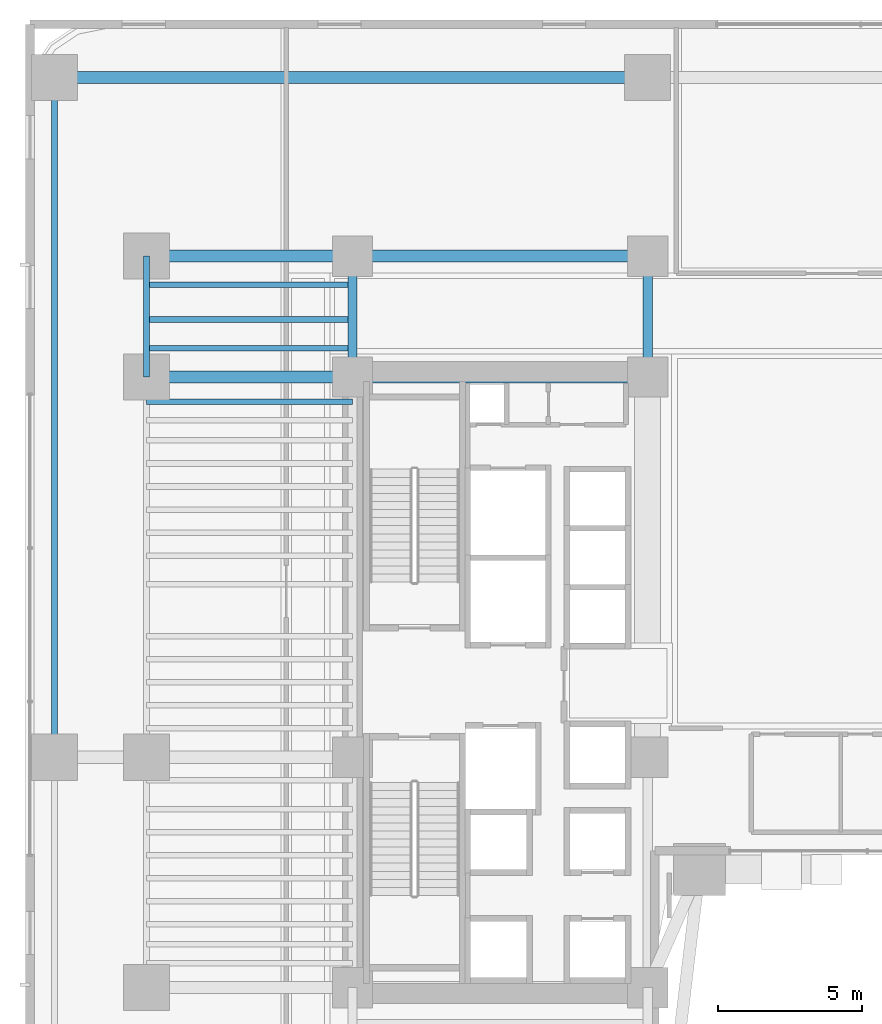
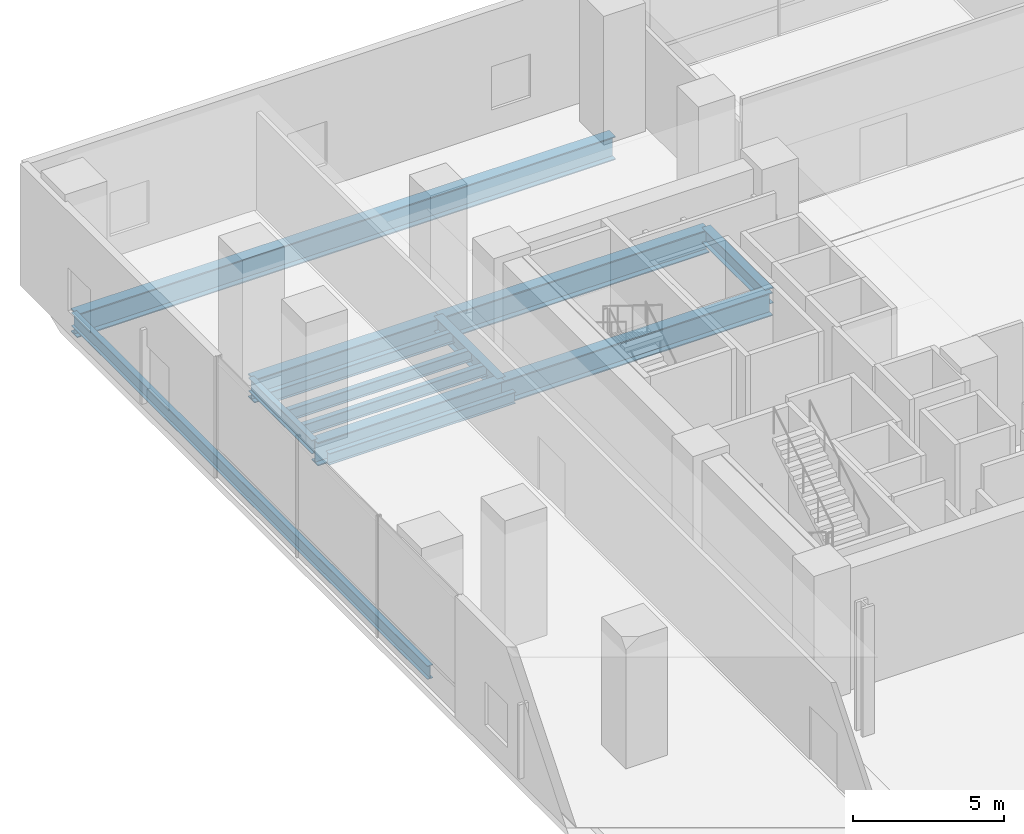
# One storey, part 13 of 39: 13 beams.
"""IFC4 building model written with IfcOpenShell, lengths in metres."""

from ifc_helpers import new_model, si_unit, direction, frame, origin, origin_2d, place, context, subcontext, project, spatial, i_section, extrude, source, transform, mapped, material, material_profile, profile_set, type_object, element, save


model = new_model("IFC4")

# Units and contexts
model_context = context("Model", 3, precision=1e-05, world=origin(), true_north=direction((0.0, 1.0)))
body_context = subcontext(model_context, "Body", "Model", "MODEL_VIEW")
ifc_project = project(units=[si_unit("LENGTHUNIT", "METRE"), si_unit("AREAUNIT", "SQUARE_METRE"), si_unit("VOLUMEUNIT", "CUBIC_METRE"), si_unit("PLANEANGLEUNIT", "RADIAN"), si_unit("MASSUNIT", "GRAM", prefix="KILO")], contexts=[model_context])

# Site, building, storey
site_placement = place(None, origin())
site = spatial("IfcSite", under=ifc_project, at=site_placement, CompositionType="ELEMENT")
building_placement = place(site_placement, origin())
building = spatial("IfcBuilding", under=site, at=building_placement, Name="Valdorenza Pilgrim Sanctuary Tower", CompositionType="ELEMENT")
storey_placement = place(building_placement, frame((0.0, 0.0, 10.39990234375)))
storey = spatial("IfcBuildingStorey", under=building, at=storey_placement, Name="L02", CompositionType="ELEMENT", Elevation=10.39990234375)

# Beams
ifc_material = material(Name="Steel ASTM A992 Grade 50", Category="steel")
ifc_material_profile_1 = material_profile(ifc_material, i_section(OverallWidth=0.423095703125, OverallDepth=0.947998046875, WebThickness=0.02392578125, FlangeThickness=0.042724609375, at=origin_2d()), Name="W36X302")
ifc_profile_set_1 = profile_set([ifc_material_profile_1], Name="Steel ASTM A992 Grade 50")
beam_type_1 = type_object("IfcBeamType", Name="STR-BM-GRD-W36A", PredefinedType="BEAM", material=ifc_profile_set_1)
shared_shape_1 = source(origin(), body_context, "Body", "SweptSolid", [
    extrude(i_section(OverallWidth=0.423095703125, OverallDepth=0.947998046875, WebThickness=0.02392578125, FlangeThickness=0.042724609375, at=origin_2d()), origin(), (0.0, 0.0, 1.0), 7.150146484375),
])
for number, where, z_axis, x_axis, name in (
    (1, (-29.800048828125, 10.60009765625, -0.75390625), (1.0, 0.0, 0.0), (0.0, 1.0, 0.0), "L02 Floor Girder WA-XW-N1"),
    (2, (-29.800048828125, 14.800048828125, -0.75390625), (1.0, 0.0, 0.0), (0.0, 1.0, 0.0), "L02 Floor Girder WA-XW-N2"),
):
    element("IfcBeam", number, at=place(storey_placement, frame(where, z_axis=z_axis, x_axis=x_axis)), inside=storey, type_object=beam_type_1, Name=name, PredefinedType="BEAM", context=body_context, shape_type="MappedRepresentation", body=[
        mapped(shared_shape_1, transform((0.0, 0.0, 0.0), x_axis=(1.0, 0.0, 0.0), y_axis=(0.0, 1.0, 0.0), z_axis=(0.0, 0.0, 1.0), scale=1.0)),
    ])
shared_shape_2 = source(origin(), body_context, "Body", "SweptSolid", [
    extrude(i_section(OverallWidth=0.423095703125, OverallDepth=0.947998046875, WebThickness=0.02392578125, FlangeThickness=0.042724609375, at=origin_2d()), origin(), (0.0, 0.0, 1.0), 10.25),
])
for number, where, z_axis, x_axis, name in (
    (3, (-22.64990234375, 10.60009765625, -0.75390625), (1.0, 0.0, 0.0), (0.0, 1.0, 0.0), "L02 Floor Girder CA-XC-N1"),
    (4, (-22.64990234375, 14.800048828125, -0.75390625), (1.0, 0.0, 0.0), (0.0, 1.0, 0.0), "L02 Floor Girder CA-XC-N2"),
):
    element("IfcBeam", number, at=place(storey_placement, frame(where, z_axis=z_axis, x_axis=x_axis)), inside=storey, type_object=beam_type_1, Name=name, PredefinedType="BEAM", context=body_context, shape_type="MappedRepresentation", body=[
        mapped(shared_shape_2, transform((0.0, 0.0, 0.0), x_axis=(1.0, 0.0, 0.0), y_axis=(0.0, 1.0, 0.0), z_axis=(0.0, 0.0, 1.0), scale=1.0)),
    ])
ifc_material_profile_2 = material_profile(ifc_material, i_section(OverallWidth=0.214111328125, OverallDepth=0.549072265625, WebThickness=0.0146484375, FlangeThickness=0.023681640625, at=origin_2d()), Name="W21X93")
ifc_profile_set_2 = profile_set([ifc_material_profile_2], Name="Steel ASTM A992 Grade 50")
beam_type_2 = type_object("IfcBeamType", Name="STR-BM-SPN-W21A", PredefinedType="SPANDREL", material=ifc_profile_set_2)
shared_shape_3 = source(origin(), body_context, "Body", "SweptSolid", [
    extrude(i_section(OverallWidth=0.214111328125, OverallDepth=0.549072265625, WebThickness=0.0146484375, FlangeThickness=0.023681640625, at=origin_2d()), origin(), (0.0, 0.0, 1.0), 4.199951171875),
])
beam_1_placement = place(storey_placement, frame((-29.800048828125, 10.60009765625, -0.554443359375), z_axis=(0.0, 1.0, 0.0), x_axis=(-1.0, 0.0, 0.0)))
element("IfcBeam", 5, at=beam_1_placement, inside=storey, type_object=beam_type_2, Name="L02 Spandrel Beam WA-W-N1N2", PredefinedType="SPANDREL", context=body_context, shape_type="MappedRepresentation", body=[
    mapped(shared_shape_3, transform((0.0, 0.0, 0.0), x_axis=(1.0, 0.0, 0.0), y_axis=(0.0, 1.0, 0.0), z_axis=(0.0, 0.0, 1.0), scale=1.0)),
])
ifc_material_profile_3 = material_profile(ifc_material, i_section(OverallWidth=0.323974609375, OverallDepth=0.611083984375, WebThickness=0.0126953125, FlangeThickness=0.01904296875, at=origin_2d()), Name="W24X104")
ifc_profile_set_3 = profile_set([ifc_material_profile_3], Name="Steel ASTM A992 Grade 50")
beam_type_3 = type_object("IfcBeamType", Name="STR-BM-GRD-W24B", PredefinedType="BEAM", material=ifc_profile_set_3)
shared_shape_4 = source(origin(), body_context, "Body", "SweptSolid", [
    extrude(i_section(OverallWidth=0.323974609375, OverallDepth=0.611083984375, WebThickness=0.0126953125, FlangeThickness=0.01904296875, at=origin_2d()), origin(), (0.0, 0.0, 1.0), 4.199951171875),
])
for number, where, z_axis, x_axis, name in (
    (6, (-22.64990234375, 10.60009765625, -0.58544921875), (0.0, 1.0, 0.0), (-1.0, 0.0, 0.0), "L02 Core Tie Girder CA-W-N1N2"),
    (7, (-12.39990234375, 10.60009765625, -0.58544921875), (0.0, 1.0, 0.0), (-1.0, 0.0, 0.0), "L02 Core Tie Girder CA-E-N1N2"),
):
    element("IfcBeam", number, at=place(storey_placement, frame(where, z_axis=z_axis, x_axis=x_axis)), inside=storey, type_object=beam_type_3, Name=name, PredefinedType="BEAM", context=body_context, shape_type="MappedRepresentation", body=[
        mapped(shared_shape_4, transform((0.0, 0.0, 0.0), x_axis=(1.0, 0.0, 0.0), y_axis=(0.0, 1.0, 0.0), z_axis=(0.0, 0.0, 1.0), scale=1.0)),
    ])
ifc_material_profile_4 = material_profile(ifc_material, i_section(OverallWidth=0.193115234375, OverallDepth=0.466064453125, WebThickness=0.011474609375, FlangeThickness=0.01904296875, at=origin_2d()), Name="W18X65")
ifc_profile_set_4 = profile_set([ifc_material_profile_4], Name="Steel ASTM A992 Grade 50")
beam_type_4 = type_object("IfcBeamType", Name="STR-BM-JST-W18A", PredefinedType="JOIST", material=ifc_profile_set_4)
shared_shape_5 = source(origin(), body_context, "Body", "SweptSolid", [
    extrude(i_section(OverallWidth=0.193115234375, OverallDepth=0.466064453125, WebThickness=0.011474609375, FlangeThickness=0.01904296875, at=origin_2d()), origin(), (0.0, 0.0, 1.0), 7.150146484375),
])
for number, where, z_axis, x_axis, name in (
    (8, (-29.800048828125, 9.75, -0.512939453125), (1.0, 0.0, 0.0), (0.0, 1.0, 0.0), "L02 Composite Floor Joist JST-WA-23"),
    (9, (-29.800048828125, 11.60009765625, -0.512939453125), (1.0, 0.0, 0.0), (0.0, 1.0, 0.0), "L02 Composite Floor Joist JST-WA-24"),
    (10, (-29.800048828125, 12.60009765625, -0.512939453125), (1.0, 0.0, 0.0), (0.0, 1.0, 0.0), "L02 Composite Floor Joist JST-WA-25"),
    (11, (-29.800048828125, 13.800048828125, -0.512939453125), (1.0, 0.0, 0.0), (0.0, 1.0, 0.0), "L02 Composite Floor Joist JST-WA-26"),
):
    element("IfcBeam", number, at=place(storey_placement, frame(where, z_axis=z_axis, x_axis=x_axis)), inside=storey, type_object=beam_type_4, Name=name, PredefinedType="JOIST", context=body_context, shape_type="MappedRepresentation", body=[
        mapped(shared_shape_5, transform((0.0, 0.0, 0.0), x_axis=(1.0, 0.0, 0.0), y_axis=(0.0, 1.0, 0.0), z_axis=(0.0, 0.0, 1.0), scale=1.0)),
    ])
shared_shape_6 = source(origin(), body_context, "Body", "SweptSolid", [
    extrude(i_section(OverallWidth=0.214111328125, OverallDepth=0.549072265625, WebThickness=0.0146484375, FlangeThickness=0.023681640625, at=origin_2d()), origin(), (0.0, 0.0, 1.0), 23.60009765625),
])
beam_2_placement = place(storey_placement, frame((-33.0, -2.60009765625, -0.554443359375), z_axis=(0.0, 1.0, 0.0), x_axis=(-1.0, 0.0, 0.0)))
element("IfcBeam", 12, at=beam_2_placement, inside=storey, type_object=beam_type_2, Name="L02 Floor Girder POD-SPN-WN", PredefinedType="SPANDREL", context=body_context, shape_type="MappedRepresentation", body=[
    mapped(shared_shape_6, transform((0.0, 0.0, 0.0), x_axis=(1.0, 0.0, 0.0), y_axis=(0.0, 1.0, 0.0), z_axis=(0.0, 0.0, 1.0), scale=1.0)),
])
shared_shape_7 = source(origin(), body_context, "Body", "SweptSolid", [
    extrude(i_section(OverallWidth=0.423095703125, OverallDepth=0.947998046875, WebThickness=0.02392578125, FlangeThickness=0.042724609375, at=origin_2d()), origin(), (0.0, 0.0, 1.0), 20.60009765625),
])
beam_3_placement = place(storey_placement, frame((-33.0, 21.0, -0.75390625), z_axis=(1.0, 0.0, 0.0), x_axis=(0.0, 1.0, 0.0)))
element("IfcBeam", 13, at=beam_3_placement, inside=storey, type_object=beam_type_1, Name="L02 Floor Girder POD-N-TIE1", PredefinedType="BEAM", context=body_context, shape_type="MappedRepresentation", body=[
    mapped(shared_shape_7, transform((0.0, 0.0, 0.0), x_axis=(1.0, 0.0, 0.0), y_axis=(0.0, 1.0, 0.0), z_axis=(0.0, 0.0, 1.0), scale=1.0)),
])

save(model, "model.ifc")
